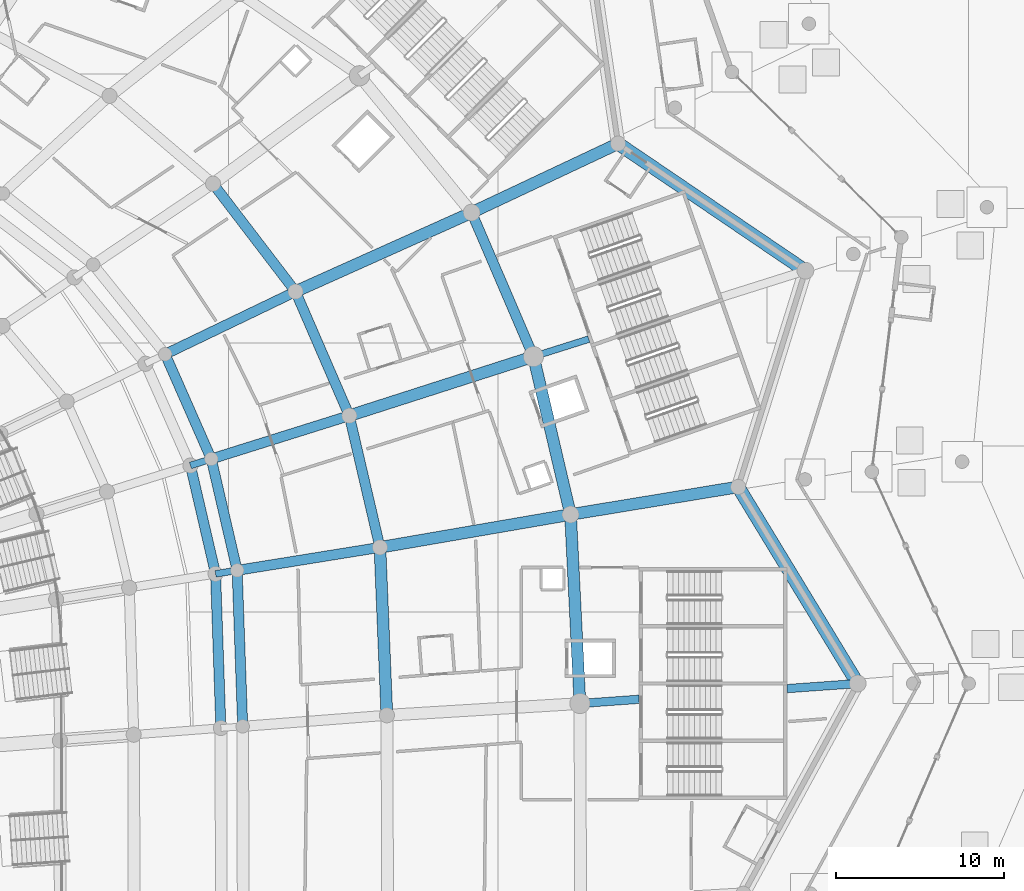
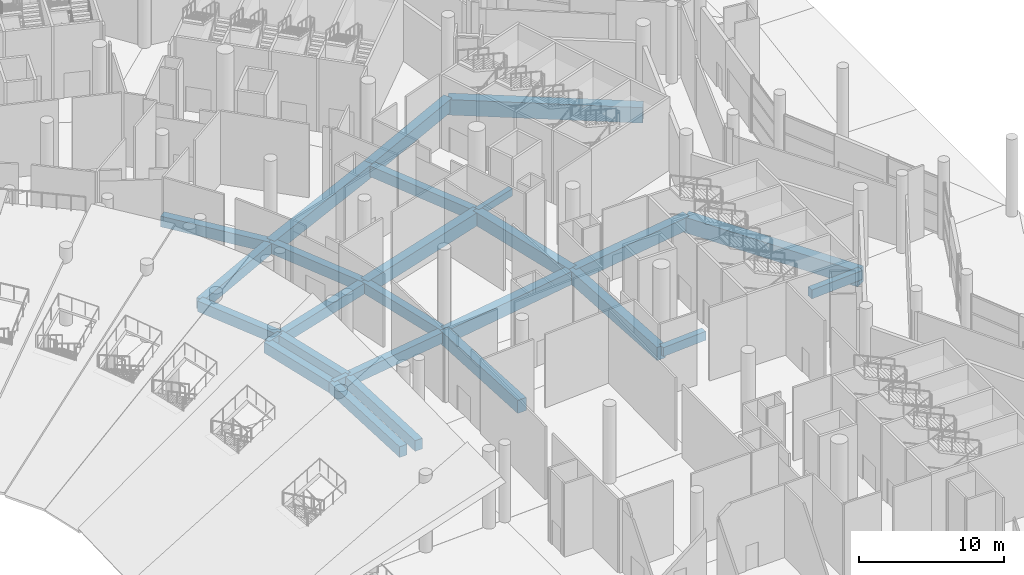
# One storey, part 59 of 255: 27 beams.
"""IFC4 building model written with IfcOpenShell, lengths in metres."""

from ifc_helpers import new_model, si_unit, direction, frame, origin, origin_2d, place, context, subcontext, project, spatial, rectangle, extrude, material, material_profile, profile_set, type_object, element, save


model = new_model("IFC4")

# Units and contexts
model_context = context("Model", 3, precision=1e-05, world=origin(), true_north=direction((0.0, 1.0)))
body_context = subcontext(model_context, "Body", "Model", "MODEL_VIEW")
ifc_project = project(units=[si_unit("LENGTHUNIT", "METRE"), si_unit("AREAUNIT", "SQUARE_METRE"), si_unit("VOLUMEUNIT", "CUBIC_METRE"), si_unit("PLANEANGLEUNIT", "RADIAN"), si_unit("MASSUNIT", "GRAM", prefix="KILO")], contexts=[model_context])

# Site, building, storey
site_placement = place(None, origin())
site = spatial("IfcSite", under=ifc_project, at=site_placement, CompositionType="ELEMENT")
building_placement = place(site_placement, origin())
building = spatial("IfcBuilding", under=site, at=building_placement, Name="Meseta Stadium", CompositionType="ELEMENT")
storey_placement = place(building_placement, origin())
storey = spatial("IfcBuildingStorey", under=building, at=storey_placement, Name="L00", CompositionType="ELEMENT", Elevation=0.0)

# Beams
ifc_material_1 = material(Name="Concrete C40/50", Category="concrete")
ifc_material_profile_1 = material_profile(ifc_material_1, rectangle(XDim=0.39990234375, YDim=0.60009765625, at=origin_2d()), Name="RC 400x600")
ifc_profile_set_1 = profile_set([ifc_material_profile_1], Name="Concrete C40/50")
beam_type_1 = type_object("IfcBeamType", Name="RC beam 400x600", PredefinedType="BEAM", material=ifc_profile_set_1)
for number, where, z_axis, x_axis, name in (
    (1, (63.21826171875, 50.27294921875, -0.699951171875), (0.98726777227, 0.159067111111, 0.0), (-0.159067111111, 0.98726777227, 0.0), "L00 radial beam frame 9 line C to D"),
    (2, (61.72314453125, 56.715576171875, -0.699951171875), (0.954202212312, 0.299162394059, 0.0), (-0.299162394059, 0.954202212312, 0.0), "L00 radial beam frame 10 line C to D"),
):
    element("IfcBeam", number, at=place(storey_placement, frame(where, z_axis=z_axis, x_axis=x_axis)), inside=storey, type_object=beam_type_1, Name=name, PredefinedType="BEAM", context=body_context, shape_type="SweptSolid", body=[
        extrude(rectangle(XDim=0.39990234375, YDim=0.60009765625, at=origin_2d()), origin(), (0.0, 0.0, 1.0), 1.300048828125),
    ])
beam_1_placement = place(storey_placement, frame((82.119873046875, 63.191162109375, -0.699951171875), z_axis=(0.953578389502, 0.301144907105, 0.0), x_axis=(-0.301144907105, 0.953578389502, 0.0)))
element("IfcBeam", 3, at=beam_1_placement, inside=storey, type_object=beam_type_1, Name="L00 radial beam frame 10 line P to R", PredefinedType="BEAM", context=body_context, shape_type="SweptSolid", body=[
    extrude(rectangle(XDim=0.39990234375, YDim=0.60009765625, at=origin_2d()), origin(), (0.0, 0.0, 1.0), 3.451904296875),
])
ifc_material_2 = material(Name="Concrete C40/50", Category="concrete")
ifc_material_profile_2 = material_profile(ifc_material_2, rectangle(XDim=0.5, YDim=0.75, at=origin_2d()), Name="RC 500x750")
ifc_profile_set_2 = profile_set([ifc_material_profile_2], Name="Concrete C40/50")
beam_type_2 = type_object("IfcBeamType", Name="RC beam 500x750", PredefinedType="BEAM", material=ifc_profile_set_2)
beam_2_placement = place(storey_placement, frame((84.884033203125, 42.5615234375, -0.77490234375), z_axis=(0.997422358581, 0.071754014547, 0.0), x_axis=(-0.071754014547, 0.997422358581, 0.0)))
element("IfcBeam", 4, at=beam_2_placement, inside=storey, type_object=beam_type_2, Name="L00 radial beam frame 8 line P to R", PredefinedType="BEAM", context=body_context, shape_type="SweptSolid", body=[
    extrude(rectangle(XDim=0.5, YDim=0.75, at=origin_2d()), origin(), (0.0, 0.0, 1.0), 3.52490234375),
])
beam_3_placement = place(storey_placement, frame((97.199951171875, 43.44775390625, -0.77490234375), z_axis=(0.997420591967, 0.071778567276, 0.0), x_axis=(-0.071778567276, 0.997420591967, 0.0)))
element("IfcBeam", 5, at=beam_3_placement, inside=storey, type_object=beam_type_2, Name="L00 radial beam frame 8 line P to R", PredefinedType="BEAM", context=body_context, shape_type="SweptSolid", body=[
    extrude(rectangle(XDim=0.5, YDim=0.75, at=origin_2d()), origin(), (0.0, 0.0, 1.0), 4.210693359375),
])
ifc_material_3 = material(Name="Concrete C40/50", Category="concrete")
ifc_material_profile_3 = material_profile(ifc_material_3, rectangle(XDim=0.60009765625, YDim=0.89990234375, at=origin_2d()), Name="RC 600x900")
ifc_profile_set_3 = profile_set([ifc_material_profile_3], Name="Concrete C40/50")
beam_type_3 = type_object("IfcBeamType", Name="RC beam 600x900", PredefinedType="BEAM", material=ifc_profile_set_3)
beam_4_placement = place(storey_placement, frame((63.53369140625, 41.1044921875, -0.85009765625), z_axis=(-0.034383449406, 0.999408714394, 0.0), x_axis=(-0.999408714394, -0.034383449406, 0.0)))
element("IfcBeam", 6, at=beam_4_placement, inside=storey, type_object=beam_type_3, Name="L00 ring beam frame 8 line C", PredefinedType="BEAM", context=body_context, shape_type="SweptSolid", body=[
    extrude(rectangle(XDim=0.60009765625, YDim=0.89990234375, at=origin_2d()), origin(), (0.0, 0.0, 1.0), 9.173828125),
])
beam_5_placement = place(storey_placement, frame((64.829833984375, 41.2041015625, -0.85009765625), z_axis=(-0.035352824386, 0.999374893525, 0.0), x_axis=(-0.999374893525, -0.035352824386, 0.0)))
element("IfcBeam", 7, at=beam_5_placement, inside=storey, type_object=beam_type_3, Name="L00 ring beam frame 8 line D", PredefinedType="BEAM", context=body_context, shape_type="SweptSolid", body=[
    extrude(rectangle(XDim=0.60009765625, YDim=0.89990234375, at=origin_2d()), origin(), (0.0, 0.0, 1.0), 9.281494140625),
])
beam_6_placement = place(storey_placement, frame((63.21826171875, 50.27294921875, -0.85009765625), z_axis=(-0.226059029022, 0.974113604975, 0.0), x_axis=(-0.974113604975, -0.226059029022, 0.0)))
element("IfcBeam", 8, at=beam_6_placement, inside=storey, type_object=beam_type_3, Name="L00 ring beam frame 9 line C", PredefinedType="BEAM", context=body_context, shape_type="SweptSolid", body=[
    extrude(rectangle(XDim=0.60009765625, YDim=0.89990234375, at=origin_2d()), origin(), (0.0, 0.0, 1.0), 6.61376953125),
])
beam_7_placement = place(storey_placement, frame((64.501708984375, 50.479736328125, -0.85009765625), z_axis=(-0.226157078617, 0.974090845759, 0.0), x_axis=(-0.974090845759, -0.226157078617, 0.0)))
element("IfcBeam", 9, at=beam_7_placement, inside=storey, type_object=beam_type_3, Name="L00 ring beam frame 9 line D", PredefinedType="BEAM", context=body_context, shape_type="SweptSolid", body=[
    extrude(rectangle(XDim=0.60009765625, YDim=0.89990234375, at=origin_2d()), origin(), (0.0, 0.0, 1.0), 6.801025390625),
])
beam_8_placement = place(storey_placement, frame((72.9921875, 51.84716796875, -0.85009765625), z_axis=(-0.226697740265, 0.973965160855, 0.0), x_axis=(-0.973965160855, -0.226697740265, 0.0)))
element("IfcBeam", 10, at=beam_8_placement, inside=storey, type_object=beam_type_3, Name="L00 ring beam frame 9 line E", PredefinedType="BEAM", context=body_context, shape_type="SweptSolid", body=[
    extrude(rectangle(XDim=0.60009765625, YDim=0.89990234375, at=origin_2d()), origin(), (0.0, 0.0, 1.0), 8.039306640625),
])
beam_9_placement = place(storey_placement, frame((62.963623046875, 57.1044921875, -0.85009765625), z_axis=(-0.402982741988, 0.915207577361, 0.0), x_axis=(-0.915207577361, -0.402982741988, 0.0)))
element("IfcBeam", 11, at=beam_9_placement, inside=storey, type_object=beam_type_3, Name="L00 ring beam frame 10 line D", PredefinedType="BEAM", context=body_context, shape_type="SweptSolid", body=[
    extrude(rectangle(XDim=0.60009765625, YDim=0.89990234375, at=origin_2d()), origin(), (0.0, 0.0, 1.0), 6.802978515625),
])
beam_10_placement = place(storey_placement, frame((71.169677734375, 59.67724609375, -0.85009765625), z_axis=(-0.397502661884, 0.91760102103, 0.0), x_axis=(-0.91760102103, -0.397502661884, 0.0)))
element("IfcBeam", 12, at=beam_10_placement, inside=storey, type_object=beam_type_3, Name="L00 ring beam frame 10 line E", PredefinedType="BEAM", context=body_context, shape_type="SweptSolid", body=[
    extrude(rectangle(XDim=0.60009765625, YDim=0.89990234375, at=origin_2d()), origin(), (0.0, 0.0, 1.0), 8.04345703125),
])
beam_11_placement = place(storey_placement, frame((82.119873046875, 63.191162109375, -0.85009765625), z_axis=(-0.394270200779, 0.918994564063, 0.0), x_axis=(-0.918994564063, -0.394270200779, 0.0)))
element("IfcBeam", 13, at=beam_11_placement, inside=storey, type_object=beam_type_3, Name="L00 ring beam frame 10 line P", PredefinedType="BEAM", context=body_context, shape_type="SweptSolid", body=[
    extrude(rectangle(XDim=0.60009765625, YDim=0.89990234375, at=origin_2d()), origin(), (0.0, 0.0, 1.0), 9.31982421875),
])
beam_12_placement = place(storey_placement, frame((67.972412109375, 67.057861328125, -0.85009765625), z_axis=(-0.607521948786, 0.794302890428, 0.0), x_axis=(-0.794302890428, -0.607521948786, 0.0)))
element("IfcBeam", 14, at=beam_12_placement, inside=storey, type_object=beam_type_3, Name="L00 ring beam frame 11 line E", PredefinedType="BEAM", context=body_context, shape_type="SweptSolid", body=[
    extrude(rectangle(XDim=0.60009765625, YDim=0.89990234375, at=origin_2d()), origin(), (0.0, 0.0, 1.0), 8.072509765625),
])
for number, where, z_axis, x_axis, name in (
    (15, (64.501708984375, 50.479736328125, -0.85009765625), (0.987277660392, 0.159005727229, 0.0), (-0.159005727229, 0.987277660392, 0.0), "L00 radial beam frame 9 line D to E"),
    (16, (62.963623046875, 57.1044921875, -0.85009765625), (0.9542027514, 0.299160674588, 0.0), (-0.299160674588, 0.9542027514, 0.0), "L00 radial beam frame 10 line D to E"),
    (17, (60.22216796875, 63.33056640625, -0.85009765625), (0.901197200503, 0.433409282094, 0.0), (-0.433409282094, 0.901197200503, 0.0), "L00 radial beam frame 11 line D to E"),
):
    element("IfcBeam", number, at=place(storey_placement, frame(where, z_axis=z_axis, x_axis=x_axis)), inside=storey, type_object=beam_type_3, Name=name, PredefinedType="BEAM", context=body_context, shape_type="SweptSolid", body=[
        extrude(rectangle(XDim=0.60009765625, YDim=0.89990234375, at=origin_2d()), origin(), (0.0, 0.0, 1.0), 8.599853515625),
    ])
ifc_material_4 = material(Name="Concrete C40/50", Category="concrete")
ifc_material_profile_4 = material_profile(ifc_material_4, rectangle(XDim=0.699951171875, YDim=1.10009765625, at=origin_2d()), Name="RC 700x1100")
ifc_profile_set_4 = profile_set([ifc_material_profile_4], Name="Concrete C40/50")
beam_type_4 = type_object("IfcBeamType", Name="RC beam 700x1100", PredefinedType="BEAM", material=ifc_profile_set_4)
beam_13_placement = place(storey_placement, frame((73.40478515625, 41.8623046875, -0.949951171875), z_axis=(-0.041287079546, 0.999147325004, 0.0), x_axis=(-0.999147325004, -0.041287079546, 0.0)))
element("IfcBeam", 18, at=beam_13_placement, inside=storey, type_object=beam_type_4, Name="L00 ring beam frame 8 line E", PredefinedType="BEAM", context=body_context, shape_type="SweptSolid", body=[
    extrude(rectangle(XDim=0.699951171875, YDim=1.10009765625, at=origin_2d()), origin(), (0.0, 0.0, 1.0), 9.993408203125),
])
beam_14_placement = place(storey_placement, frame((84.884033203125, 42.5615234375, -0.949951171875), z_axis=(-0.049657379323, 0.998766311346, 0.0), x_axis=(-0.998766311346, -0.049657379323, 0.0)))
element("IfcBeam", 19, at=beam_14_placement, inside=storey, type_object=beam_type_4, Name="L00 ring beam frame 8 line P", PredefinedType="BEAM", context=body_context, shape_type="SweptSolid", body=[
    extrude(rectangle(XDim=0.699951171875, YDim=1.10009765625, at=origin_2d()), origin(), (0.0, 0.0, 1.0), 11.25390625),
])
beam_15_placement = place(storey_placement, frame((84.3251953125, 53.801513671875, -0.949951171875), z_axis=(-0.228645688533, 0.973509706739, 0.0), x_axis=(-0.973509706739, -0.228645688533, 0.0)))
element("IfcBeam", 20, at=beam_15_placement, inside=storey, type_object=beam_type_4, Name="L00 ring beam frame 9 line P", PredefinedType="BEAM", context=body_context, shape_type="SweptSolid", body=[
    extrude(rectangle(XDim=0.699951171875, YDim=1.10009765625, at=origin_2d()), origin(), (0.0, 0.0, 1.0), 9.645263671875),
])
beam_16_placement = place(storey_placement, frame((72.9921875, 51.84716796875, -0.949951171875), z_axis=(0.985454599583, 0.169938907145, 0.0), x_axis=(-0.169938907145, 0.985454599583, 0.0)))
element("IfcBeam", 21, at=beam_16_placement, inside=storey, type_object=beam_type_4, Name="L00 radial beam frame 9 line E to P", PredefinedType="BEAM", context=body_context, shape_type="SweptSolid", body=[
    extrude(rectangle(XDim=0.699951171875, YDim=1.10009765625, at=origin_2d()), origin(), (0.0, 0.0, 1.0), 11.500244140625),
])
beam_17_placement = place(storey_placement, frame((84.3251953125, 53.801513671875, -0.949951171875), z_axis=(0.986739169318, 0.162313929576, 0.0), x_axis=(-0.162313929576, 0.986739169318, 0.0)))
element("IfcBeam", 22, at=beam_17_placement, inside=storey, type_object=beam_type_4, Name="L00 radial beam frame 9 line P to R", PredefinedType="BEAM", context=body_context, shape_type="SweptSolid", body=[
    extrude(rectangle(XDim=0.699951171875, YDim=1.10009765625, at=origin_2d()), origin(), (0.0, 0.0, 1.0), 10.103271484375),
])
beam_18_placement = place(storey_placement, frame((71.169677734375, 59.67724609375, -0.949951171875), z_axis=(0.952175117954, 0.305552850992, 0.0), x_axis=(-0.305552850992, 0.952175117954, 0.0)))
element("IfcBeam", 23, at=beam_18_placement, inside=storey, type_object=beam_type_4, Name="L00 radial beam frame 10 line E to P", PredefinedType="BEAM", context=body_context, shape_type="SweptSolid", body=[
    extrude(rectangle(XDim=0.699951171875, YDim=1.10009765625, at=origin_2d()), origin(), (0.0, 0.0, 1.0), 11.500244140625),
])
beam_19_placement = place(storey_placement, frame((67.972412109375, 67.057861328125, -0.949951171875), z_axis=(0.912395676752, 0.409309331734, 0.0), x_axis=(-0.409309331734, 0.912395676752, 0.0)))
element("IfcBeam", 24, at=beam_19_placement, inside=storey, type_object=beam_type_4, Name="L00 radial beam frame 11 line E to P", PredefinedType="BEAM", context=body_context, shape_type="SweptSolid", body=[
    extrude(rectangle(XDim=0.699951171875, YDim=1.10009765625, at=origin_2d()), origin(), (0.0, 0.0, 1.0), 11.478515625),
])
beam_20_placement = place(storey_placement, frame((78.4453125, 71.756103515625, -0.949951171875), z_axis=(0.904664550747, 0.426124454382, 0.0), x_axis=(-0.426124454382, 0.904664550747, 0.0)))
element("IfcBeam", 25, at=beam_20_placement, inside=storey, type_object=beam_type_4, Name="L00 radial beam frame 11 line P to R", PredefinedType="BEAM", context=body_context, shape_type="SweptSolid", body=[
    extrude(rectangle(XDim=0.699951171875, YDim=1.10009765625, at=origin_2d()), origin(), (0.0, 0.0, 1.0), 9.623046875),
])
ifc_material_5 = material(Name="Concrete C40/50", Category="concrete")
ifc_material_profile_5 = material_profile(ifc_material_5, rectangle(XDim=0.800048828125, YDim=1.300048828125, at=origin_2d()), Name="RC 800x1300")
ifc_profile_set_5 = profile_set([ifc_material_profile_5], Name="Concrete C40/50")
beam_type_5 = type_object("IfcBeamType", Name="RC beam 800x1300", PredefinedType="BEAM", material=ifc_profile_set_5)
beam_21_placement = place(storey_placement, frame((101.39990234375, 43.75, -1.050048828125), z_axis=(-0.519358064651, 0.854556727598, 0.0), x_axis=(-0.854556727598, -0.519358064651, 0.0)))
element("IfcBeam", 26, at=beam_21_placement, inside=storey, type_object=beam_type_5, Name="L00 ring beam frame 8 line R", PredefinedType="BEAM", context=body_context, shape_type="SweptSolid", body=[
    extrude(rectangle(XDim=0.800048828125, YDim=1.300048828125, at=origin_2d()), origin(), (0.0, 0.0, 1.0), 13.68115234375),
])
beam_22_placement = place(storey_placement, frame((98.291015625, 68.297607421875, -1.050048828125), z_axis=(-0.827486005705, 0.561486340317, 0.0), x_axis=(-0.561486340317, -0.827486005705, 0.0)))
element("IfcBeam", 27, at=beam_22_placement, inside=storey, type_object=beam_type_5, Name="L00 ring beam frame 10 line R", PredefinedType="BEAM", context=body_context, shape_type="SweptSolid", body=[
    extrude(rectangle(XDim=0.800048828125, YDim=1.300048828125, at=origin_2d()), origin(), (0.0, 0.0, 1.0), 13.462646484375),
])

save(model, "model.ifc")
